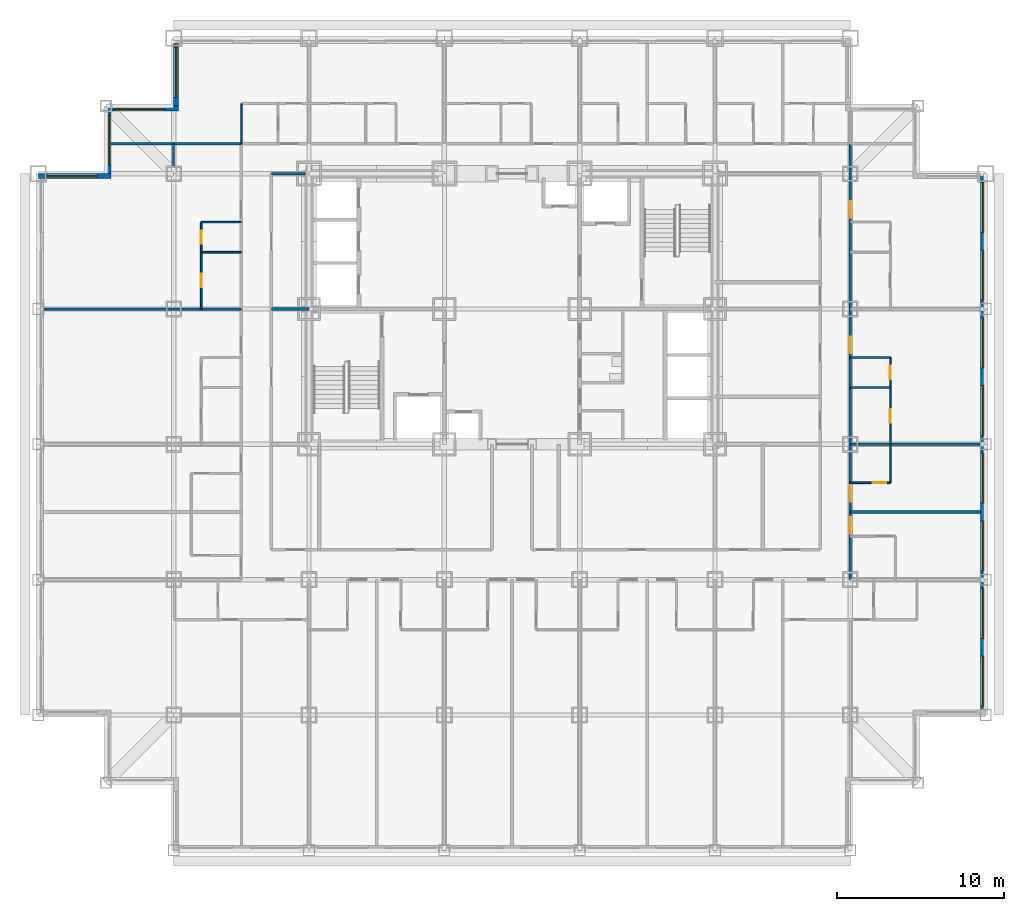
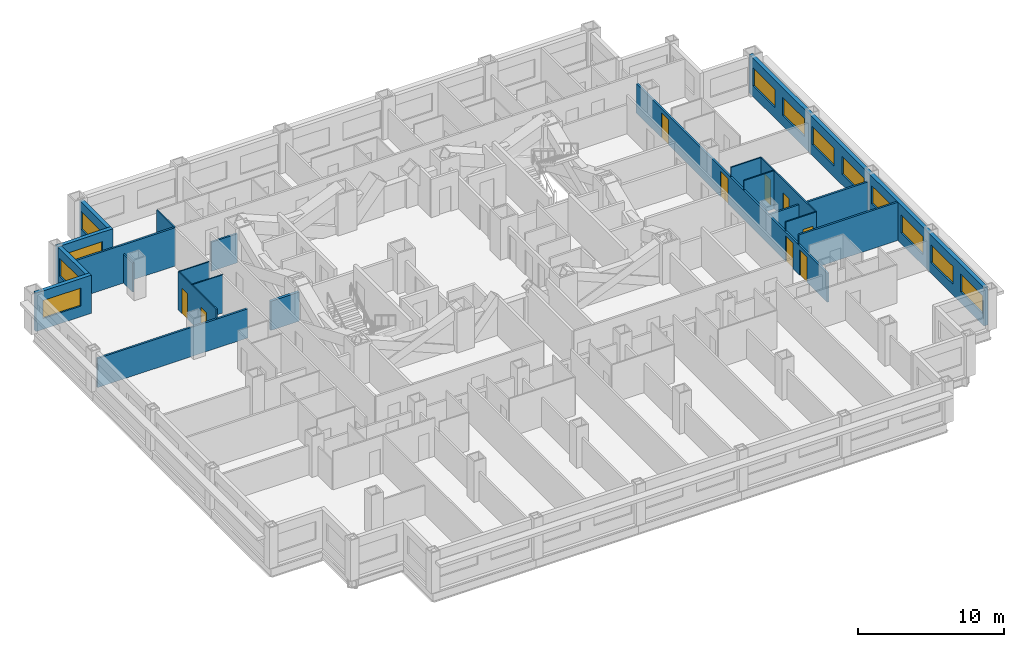
# One storey, part 7 of 12: 21 walls, 12 windows, 9 doors, 21 openings.
"""IFC4 building model written with IfcOpenShell, lengths in metres."""

import ifcopenshell
import ifcopenshell.guid

model = None  # the IFC model being written
_history = None  # IfcOwnerHistory: only IFC2X3 demands one
_inside = {}  # id of a spatial element -> (the spatial element, [elements in it])
_under = {}  # id of a project, library or spatial element -> (it, [spatial elements below it])
_declared = {}  # id of a project -> (the project, [libraries it declares])
_typed = {}  # id of a type object -> (the type object, [elements of that type])
_made_of = {}  # id of a material, layer set ... -> (it, [elements and type objects made of it])


def new_model(schema):
    """Start an empty IFC model of exactly this schema.

    Asked for "IFC4X3", IfcOpenShell would pick the latest addendum, in which some entities
    have other attributes; the version numbers below select the first issue.
    IFC2X3 requires an IfcOwnerHistory on every rooted entity: one is made here for all.
    """
    global model, _history
    if schema == "IFC4X3":
        model = ifcopenshell.file(schema_version=(4, 3, 0, 0))
    else:
        model = ifcopenshell.file(schema=schema)
    _inside.clear()
    _under.clear()
    _declared.clear()
    _typed.clear()
    _made_of.clear()
    _history = None
    if model.schema == "IFC2X3":
        org = make("IfcOrganization", Name="unknown")
        user = make(
            "IfcPersonAndOrganization",
            ThePerson=make("IfcPerson", FamilyName="unknown"),
            TheOrganization=org,
        )
        app = make(
            "IfcApplication",
            ApplicationDeveloper=org,
            Version="unknown",
            ApplicationFullName="unknown",
            ApplicationIdentifier="unknown",
        )
        _history = make(
            "IfcOwnerHistory",
            OwningUser=user,
            OwningApplication=app,
            ChangeAction="ADDED",
            CreationDate=0,
        )
    return model


def make(cls, **values):
    """One entity of the class cls with the attributes given. An attribute that is None is left unset."""
    return model.create_entity(
        cls, **{name: value for name, value in values.items() if value is not None}
    )


def rooted(cls, **values):
    """An entity with a GlobalId (a new one), such as an element, a storey or a relation."""
    return make(cls, GlobalId=ifcopenshell.guid.new(), OwnerHistory=_history, **values)


def si_unit(unit_type, name, prefix=None):
    """IfcSIUnit, for example si_unit("LENGTHUNIT", "METRE", prefix="MILLI")."""
    return make("IfcSIUnit", UnitType=unit_type, Prefix=prefix, Name=name)


def assignment(units):
    """IfcUnitAssignment: the units of a project."""
    return None if units is None else make("IfcUnitAssignment", Units=units)


def point(xyz):
    """IfcCartesianPoint."""
    return None if xyz is None else make("IfcCartesianPoint", Coordinates=xyz)


def direction(xyz):
    """IfcDirection."""
    return None if xyz is None else make("IfcDirection", DirectionRatios=xyz)


def frame(location, z_axis=None, x_axis=None):
    """IfcAxis2Placement3D, a coordinate frame: its origin and axes. An axis left out is left unset."""
    return make(
        "IfcAxis2Placement3D",
        Location=point(location),
        Axis=direction(z_axis),
        RefDirection=direction(x_axis),
    )


def frame_2d(location, x_axis=None):
    """IfcAxis2Placement2D, a coordinate frame in the plane: its origin and x axis."""
    return make(
        "IfcAxis2Placement2D", Location=point(location), RefDirection=direction(x_axis)
    )


def origin():
    """The frame at (0, 0, 0) with its axes left unset."""
    return frame((0.0, 0.0, 0.0))


def place(relative_to, where):
    """IfcLocalPlacement: puts the frame where relative to a parent placement (None: the world)."""
    return make(
        "IfcLocalPlacement", PlacementRelTo=relative_to, RelativePlacement=where
    )


def context(
    kind, dimensions, precision=None, world=None, true_north=None, identifier=None
):
    """IfcGeometricRepresentationContext, for example the 3D "Model" context."""
    return make(
        "IfcGeometricRepresentationContext",
        ContextIdentifier=identifier,
        ContextType=kind,
        CoordinateSpaceDimension=dimensions,
        Precision=precision,
        WorldCoordinateSystem=world,
        TrueNorth=true_north,
    )


def subcontext(parent, identifier, kind, view, scale=None):
    """IfcGeometricRepresentationSubContext, for example "Body" below "Model"."""
    return make(
        "IfcGeometricRepresentationSubContext",
        ContextIdentifier=identifier,
        ContextType=kind,
        ParentContext=parent,
        TargetScale=scale,
        TargetView=view,
    )


def project(units=None, contexts=None):
    """IfcProject with its units and contexts."""
    return rooted(
        "IfcProject",
        Name="project",
        RepresentationContexts=contexts,
        UnitsInContext=assignment(units),
    )


def spatial(cls, under=None, at=None, **own):
    """A site, building, storey or space (cls), placed at a placement, below another one or the project."""
    s = rooted(cls, ObjectPlacement=at, **own)
    if under is not None:
        _under.setdefault(under.id(), (under, []))[1].append(s)
    return s


def profile(cls, at=None, kind="AREA", **sizes):
    """A parametric profile (cls). Its sizes go by their IFC names, for example OverallWidth=200.0."""
    return make(cls, ProfileType=kind, Position=at, **sizes)


def rectangle(**sizes):
    """IfcRectangleProfileDef."""
    return profile("IfcRectangleProfileDef", **sizes)


def extrude(swept, where, along, depth):
    """IfcExtrudedAreaSolid: the profile swept, set in the frame where, extruded along a direction by depth."""
    return make(
        "IfcExtrudedAreaSolid",
        SweptArea=swept,
        Position=where,
        ExtrudedDirection=direction(along),
        Depth=depth,
    )


def shape(context_of_items, identifier, shape_type, items):
    """IfcShapeRepresentation: the items that make up one representation, for example the "Body"."""
    return make(
        "IfcShapeRepresentation",
        ContextOfItems=context_of_items,
        RepresentationIdentifier=identifier,
        RepresentationType=shape_type,
        Items=items,
    )


def material(Name=None, Category=None):
    """IfcMaterial."""
    return make("IfcMaterial", Name=Name, Category=Category)


def layer(
    of_material, thickness, ventilated=None, Name=None, Category=None, Priority=None
):
    """IfcMaterialLayer: one layer of a wall or slab, of a material (None: an air gap)."""
    return make(
        "IfcMaterialLayer",
        Material=of_material,
        LayerThickness=thickness,
        IsVentilated=ventilated,
        Name=Name,
        Category=Category,
        Priority=Priority,
    )


def layer_set(layers, Name=None):
    """IfcMaterialLayerSet."""
    return make("IfcMaterialLayerSet", MaterialLayers=layers, LayerSetName=Name)


def made_of(thing, what):
    """Note that an element or type object is made of a material, layer set ...; save() writes the relation."""
    if what is not None:
        _made_of.setdefault(what.id(), (what, []))[1].append(thing)
    return thing


def type_object(cls, material=None, **own):
    """A type object (cls), such as IfcWallType, which elements share."""
    return made_of(rooted(cls, **own), material)


def element(
    cls,
    number,
    at=None,
    inside=None,
    cuts=None,
    type_object=None,
    material=None,
    context=None,
    identifier="Body",
    shape_type=None,
    held_by="IfcProductDefinitionShape",
    body=None,
    shapes=None,
    **own,
):
    """One element of the class cls, such as IfcWall. Its Tag is "e" and its number.

    at: its placement. inside: the storey or other place that contains it. cuts: it is an
    opening in that element (IfcRelVoidsElement). A single representation is given by context,
    identifier, shape_type and body (its items); several are given by shapes. held_by: the class
    of the entity that holds the representations. save() writes the other relations.
    """
    e = rooted(cls, Tag="e%d" % number, ObjectPlacement=at, **own)
    if body is not None:
        shapes = [shape(context, identifier, shape_type, body)]
    if shapes is not None:
        e.Representation = make(held_by, Representations=shapes)
    if inside is not None:
        _inside.setdefault(inside.id(), (inside, []))[1].append(e)
    if cuts is not None:
        rooted(
            "IfcRelVoidsElement", RelatingBuildingElement=cuts, RelatedOpeningElement=e
        )
    if type_object is not None:
        _typed.setdefault(type_object.id(), (type_object, []))[1].append(e)
    return made_of(e, material)


def fill(opening, filler):
    """IfcRelFillsElement: the door or window that sits in an opening."""
    return rooted(
        "IfcRelFillsElement",
        RelatingOpeningElement=opening,
        RelatedBuildingElement=filler,
    )


def aggregate(whole, parts):
    """IfcRelAggregates: a whole, such as a stair, and the parts it consists of."""
    return rooted("IfcRelAggregates", RelatingObject=whole, RelatedObjects=parts)


def save(model, path):
    """Write the relations noted so far, then the file.

    IfcRelAggregates (storeys below a building ...), IfcRelContainedInSpatialStructure (elements
    in a storey), IfcRelDefinesByType, IfcRelAssociatesMaterial and IfcRelDeclares: one each for
    every whole, place, type object, material and project.
    """
    for whole, parts in _under.values():
        aggregate(whole, parts)
    for where, things in _inside.values():
        rooted(
            "IfcRelContainedInSpatialStructure",
            RelatedElements=things,
            RelatingStructure=where,
        )
    for kind, things in _typed.values():
        rooted("IfcRelDefinesByType", RelatedObjects=things, RelatingType=kind)
    for what, things in _made_of.values():
        rooted("IfcRelAssociatesMaterial", RelatedObjects=things, RelatingMaterial=what)
    for by, libraries in _declared.values():
        rooted("IfcRelDeclares", RelatingContext=by, RelatedDefinitions=libraries)
    model.write(path)


model = new_model("IFC4")

# Units and contexts
model_context = context("Model", 3, precision=1e-05, world=origin(), true_north=direction((0.0, 1.0)))
body_context = subcontext(model_context, "Body", "Model", "MODEL_VIEW")
ifc_project = project(units=[si_unit("LENGTHUNIT", "METRE"), si_unit("AREAUNIT", "SQUARE_METRE"), si_unit("VOLUMEUNIT", "CUBIC_METRE"), si_unit("PLANEANGLEUNIT", "RADIAN"), si_unit("MASSUNIT", "GRAM", prefix="KILO")], contexts=[model_context])

# Site, building, storey
site_placement = place(None, origin())
site = spatial("IfcSite", under=ifc_project, at=site_placement, CompositionType="ELEMENT")
building_placement = place(site_placement, origin())
building = spatial("IfcBuilding", under=site, at=building_placement, Name="Kopane Lantern Tower", CompositionType="ELEMENT")
storey_placement = place(building_placement, frame((0.0, 0.0, 80.60009765625)))
storey = spatial("IfcBuildingStorey", under=building, at=storey_placement, Name="L20", CompositionType="ELEMENT", Elevation=80.60009765625)

# Wall
ifc_material_1 = material(Name="Gypsum board on steel studs", Category="steel")
ifc_layer_1 = layer(ifc_material_1, 0.1201171875)
ifc_layer_set_1 = layer_set([ifc_layer_1], Name="APARTMENT INTERNAL WALL 120")
wall_type_1 = type_object("IfcWallType", Name="APARTMENT INTERNAL WALL 120", PredefinedType="PARTITIONING", material=ifc_layer_set_1)
wall_1_placement = place(storey_placement, frame((8.10009765625, 42.300048828125, 0.0), z_axis=(0.0, 0.0, 1.0), x_axis=(0.0, -1.0, 0.0)))
element("IfcWall", 1, at=wall_1_placement, inside=storey, type_object=wall_type_1, Name="Apartment Internal Wall 120 L20", PredefinedType="PARTITIONING", context=body_context, shape_type="SweptSolid", body=[
    extrude(rectangle(XDim=1.324951171875, YDim=0.1201171875, at=frame_2d((0.66259765625, 0.0))), origin(), (0.0, 0.0, 1.0), 2.427734375),
])

# Wall, openings, doors
ifc_material_2 = material(Name="Moisture-resistant board on steel studs", Category="steel")
ifc_layer_2 = layer(ifc_material_2, 0.10009765625)
ifc_layer_set_2 = layer_set([ifc_layer_2], Name="BATHROOM WALL 100")
wall_type_2 = type_object("IfcWallType", Name="BATHROOM WALL 100", PredefinedType="PARTITIONING", material=ifc_layer_set_2)
wall_2_placement = place(storey_placement, frame((9.75, 32.39990234375, 0.0), z_axis=(0.0, 0.0, 1.0), x_axis=(0.0, 1.0, 0.0)))
wall_2 = element("IfcWall", 2, at=wall_2_placement, inside=storey, type_object=wall_type_2, Name="Bathroom Wall 100 L20", PredefinedType="PARTITIONING", context=body_context, shape_type="SweptSolid", body=[
    extrude(rectangle(XDim=5.2001953125, YDim=0.10009765625, at=frame_2d((2.60009765625, 0.0))), origin(), (0.0, 0.0, 1.0), 3.18994140625),
])
opening_1_placement = place(wall_2_placement, frame((1.300048828125, 0.0, 0.0)))
opening_1 = element("IfcOpeningElement", 3, at=opening_1_placement, cuts=wall_2, Name="Opening L20-046", PredefinedType="OPENING", context=body_context, shape_type="SweptSolid", body=[
    extrude(rectangle(XDim=0.800048828125, YDim=2.10009765625, at=frame_2d((0.39990234375, 1.050048828125))), frame((0.0, 0.06005859375, 0.0), z_axis=(0.0, -1.0, 0.0), x_axis=(1.0, 0.0, 0.0)), (0.0, 0.0, 1.0), 0.1201171875),
])
opening_2_placement = place(wall_2_placement, frame((3.89990234375, 0.0, 0.0)))
opening_2 = element("IfcOpeningElement", 4, at=opening_2_placement, cuts=wall_2, Name="Opening L20-047", PredefinedType="OPENING", context=body_context, shape_type="SweptSolid", body=[
    extrude(rectangle(XDim=0.800048828125, YDim=2.10009765625, at=frame_2d((0.39990234375, 1.050048828125))), frame((0.0, 0.06005859375, 0.0), z_axis=(0.0, -1.0, 0.0), x_axis=(1.0, 0.0, 0.0)), (0.0, 0.0, 1.0), 0.1201171875),
])
ifc_material_3 = material(Name="Timber door set", Category="wood")
door_type_1 = type_object("IfcDoorType", Name="DOOR D2 800x2100", OperationType="SINGLE_SWING_LEFT", PredefinedType="DOOR", material=ifc_material_3)
door_1_placement = place(opening_1_placement, origin())
door_1 = element("IfcDoor", 5, at=door_1_placement, inside=storey, type_object=door_type_1, Name="Door L20-046", OperationType="SINGLE_SWING_LEFT", OverallHeight=2.10009765625, OverallWidth=0.800048828125, PredefinedType="DOOR", context=body_context, shape_type="SweptSolid", body=[
    extrude(rectangle(XDim=0.800048828125, YDim=2.10009765625, at=frame_2d((0.39990234375, 1.050048828125))), frame((0.0, 0.02490234375, 0.0), z_axis=(0.0, -1.0, 0.0), x_axis=(1.0, 0.0, 0.0)), (0.0, 0.0, 1.0), 0.050048828125),
])
fill(opening_1, door_1)
door_2_placement = place(opening_2_placement, origin())
door_2 = element("IfcDoor", 6, at=door_2_placement, inside=storey, type_object=door_type_1, Name="Door L20-047", OperationType="SINGLE_SWING_LEFT", OverallHeight=2.10009765625, OverallWidth=0.800048828125, PredefinedType="DOOR", context=body_context, shape_type="SweptSolid", body=[
    extrude(rectangle(XDim=0.800048828125, YDim=2.10009765625, at=frame_2d((0.39990234375, 1.050048828125))), frame((0.0, 0.02490234375, 0.0), z_axis=(0.0, -1.0, 0.0), x_axis=(1.0, 0.0, 0.0)), (0.0, 0.0, 1.0), 0.050048828125),
])
fill(opening_2, door_2)

# Walls
for number, where, z_axis, x_axis, name in (
    (7, (12.14990234375, 35.800048828125, 0.0), (0.0, 0.0, 1.0), (-1.0, 0.0, 0.0), "Bathroom Wall 100 L20"),
    (8, (12.14990234375, 37.60009765625, 0.0), (0.0, 0.0, 1.0), (-1.0, 0.0, 0.0), "Bathroom Wall 100 L20"),
):
    element("IfcWall", number, at=place(storey_placement, frame(where, z_axis=z_axis, x_axis=x_axis)), inside=storey, type_object=wall_type_2, Name=name, PredefinedType="PARTITIONING", context=body_context, shape_type="SweptSolid", body=[
        extrude(rectangle(XDim=2.39990234375, YDim=0.10009765625, at=frame_2d((1.199951171875, 0.0))), origin(), (0.0, 0.0, 1.0), 3.18994140625),
    ])

# Wall, openings, doors
wall_3_placement = place(storey_placement, frame((51.0, 22.0, 0.0), z_axis=(0.0, 0.0, 1.0), x_axis=(0.0, 1.0, 0.0)))
wall_3 = element("IfcWall", 9, at=wall_3_placement, inside=storey, type_object=wall_type_2, Name="Bathroom Wall 100 L20", PredefinedType="PARTITIONING", context=body_context, shape_type="SweptSolid", body=[
    extrude(rectangle(XDim=7.5, YDim=0.10009765625, at=frame_2d((3.75, 0.0))), origin(), (0.0, 0.0, 1.0), 3.18994140625),
])
opening_3_placement = place(wall_3_placement, frame((3.60009765625, 0.0, 0.0)))
opening_3 = element("IfcOpeningElement", 10, at=opening_3_placement, cuts=wall_3, Name="Opening L20-053", PredefinedType="OPENING", context=body_context, shape_type="SweptSolid", body=[
    extrude(rectangle(XDim=0.800048828125, YDim=2.10009765625, at=frame_2d((0.39990234375, 1.050048828125))), frame((0.0, 0.06005859375, 0.0), z_axis=(0.0, -1.0, 0.0), x_axis=(1.0, 0.0, 0.0)), (0.0, 0.0, 1.0), 0.1201171875),
])
opening_4_placement = place(wall_3_placement, frame((6.199951171875, 0.0, 0.0)))
opening_4 = element("IfcOpeningElement", 11, at=opening_4_placement, cuts=wall_3, Name="Opening L20-054", PredefinedType="OPENING", context=body_context, shape_type="SweptSolid", body=[
    extrude(rectangle(XDim=0.800048828125, YDim=2.10009765625, at=frame_2d((0.39990234375, 1.050048828125))), frame((0.0, 0.06005859375, 0.0), z_axis=(0.0, -1.0, 0.0), x_axis=(1.0, 0.0, 0.0)), (0.0, 0.0, 1.0), 0.1201171875),
])
door_3_placement = place(opening_3_placement, origin())
door_3 = element("IfcDoor", 12, at=door_3_placement, inside=storey, type_object=door_type_1, Name="Door L20-053", OperationType="SINGLE_SWING_RIGHT", OverallHeight=2.10009765625, OverallWidth=0.800048828125, PredefinedType="DOOR", context=body_context, shape_type="SweptSolid", body=[
    extrude(rectangle(XDim=0.800048828125, YDim=2.10009765625, at=frame_2d((0.39990234375, 1.050048828125))), frame((0.0, 0.02490234375, 0.0), z_axis=(0.0, -1.0, 0.0), x_axis=(1.0, 0.0, 0.0)), (0.0, 0.0, 1.0), 0.050048828125),
])
fill(opening_3, door_3)
door_4_placement = place(opening_4_placement, origin())
door_4 = element("IfcDoor", 13, at=door_4_placement, inside=storey, type_object=door_type_1, Name="Door L20-054", OperationType="SINGLE_SWING_RIGHT", OverallHeight=2.10009765625, OverallWidth=0.800048828125, PredefinedType="DOOR", context=body_context, shape_type="SweptSolid", body=[
    extrude(rectangle(XDim=0.800048828125, YDim=2.10009765625, at=frame_2d((0.39990234375, 1.050048828125))), frame((0.0, 0.02490234375, 0.0), z_axis=(0.0, -1.0, 0.0), x_axis=(1.0, 0.0, 0.0)), (0.0, 0.0, 1.0), 0.050048828125),
])
fill(opening_4, door_4)

# Wall, opening, door
wall_4_placement = place(storey_placement, frame((48.60009765625, 22.0, 0.0), z_axis=(0.0, 0.0, 1.0), x_axis=(1.0, 0.0, 0.0)))
wall_4 = element("IfcWall", 14, at=wall_4_placement, inside=storey, type_object=wall_type_2, Name="Bathroom Wall 100 L20", PredefinedType="PARTITIONING", context=body_context, shape_type="SweptSolid", body=[
    extrude(rectangle(XDim=2.39990234375, YDim=0.10009765625, at=frame_2d((1.199951171875, 0.0))), origin(), (0.0, 0.0, 1.0), 3.18994140625),
])
opening_5_placement = place(wall_4_placement, frame((1.35009765625, 0.0, 0.0)))
opening_5 = element("IfcOpeningElement", 15, at=opening_5_placement, cuts=wall_4, Name="Opening L20-051", PredefinedType="OPENING", context=body_context, shape_type="SweptSolid", body=[
    extrude(rectangle(XDim=0.800048828125, YDim=2.10009765625, at=frame_2d((0.39990234375, 1.050048828125))), frame((0.0, 0.06005859375, 0.0), z_axis=(0.0, -1.0, 0.0), x_axis=(1.0, 0.0, 0.0)), (0.0, 0.0, 1.0), 0.1201171875),
])
door_5_placement = place(opening_5_placement, origin())
door_5 = element("IfcDoor", 16, at=door_5_placement, inside=storey, type_object=door_type_1, Name="Door L20-051", OperationType="SINGLE_SWING_RIGHT", OverallHeight=2.10009765625, OverallWidth=0.800048828125, PredefinedType="DOOR", context=body_context, shape_type="SweptSolid", body=[
    extrude(rectangle(XDim=0.800048828125, YDim=2.10009765625, at=frame_2d((0.39990234375, 1.050048828125))), frame((0.0, 0.02490234375, 0.0), z_axis=(0.0, -1.0, 0.0), x_axis=(1.0, 0.0, 0.0)), (0.0, 0.0, 1.0), 0.050048828125),
])
fill(opening_5, door_5)

# Walls
for number, where, z_axis, x_axis, name in (
    (17, (48.60009765625, 27.699951171875, 0.0), (0.0, 0.0, 1.0), (1.0, 0.0, 0.0), "Bathroom Wall 100 L20"),
    (18, (48.60009765625, 29.5, 0.0), (0.0, 0.0, 1.0), (1.0, 0.0, 0.0), "Bathroom Wall 100 L20"),
    (19, (12.14990234375, 42.300048828125, 0.0), (0.0, 0.0, 1.0), (0.0, 1.0, 0.0), "Bathroom Wall 100 L20"),
):
    element("IfcWall", number, at=place(storey_placement, frame(where, z_axis=z_axis, x_axis=x_axis)), inside=storey, type_object=wall_type_2, Name=name, PredefinedType="PARTITIONING", context=body_context, shape_type="SweptSolid", body=[
        extrude(rectangle(XDim=2.39990234375, YDim=0.10009765625, at=frame_2d((1.199951171875, 0.0))), origin(), (0.0, 0.0, 1.0), 3.18994140625),
    ])

# Wall, openings, doors
ifc_material_4 = material(Name="Gypsum board on steel studs", Category="steel")
ifc_layer_3 = layer(ifc_material_4, 0.14990234375)
ifc_layer_set_3 = layer_set([ifc_layer_3], Name="CORRIDOR WALL 150 EI 60")
wall_type_3 = type_object("IfcWallType", Name="CORRIDOR WALL 150 EI 60", PredefinedType="PARTITIONING", material=ifc_layer_set_3)
wall_5_placement = place(storey_placement, frame((48.60009765625, 16.199951171875, 0.0), z_axis=(0.0, 0.0, 1.0), x_axis=(0.0, 1.0, 0.0)))
wall_5 = element("IfcWall", 20, at=wall_5_placement, inside=storey, type_object=wall_type_3, Name="Corridor Wall 150 Ei 60 L20", PredefinedType="PARTITIONING", context=body_context, shape_type="SweptSolid", body=[
    extrude(rectangle(XDim=26.10009765625, YDim=0.14990234375, at=frame_2d((13.050048828125, 0.0))), origin(), (0.0, 0.0, 1.0), 2.427734375),
])
opening_6_placement = place(wall_5_placement, frame((2.75, 0.0, 0.0)))
opening_6 = element("IfcOpeningElement", 21, at=opening_6_placement, cuts=wall_5, Name="Opening L20-050", PredefinedType="OPENING", context=body_context, shape_type="SweptSolid", body=[
    extrude(rectangle(XDim=1.0, YDim=2.10009765625, at=frame_2d((0.5, 1.050048828125))), frame((0.0, 0.0849609375, 0.0), z_axis=(0.0, -1.0, 0.0), x_axis=(1.0, 0.0, 0.0)), (0.0, 0.0, 1.0), 0.169921875),
])
opening_7_placement = place(wall_5_placement, frame((4.64990234375, 0.0, 0.0)))
opening_7 = element("IfcOpeningElement", 22, at=opening_7_placement, cuts=wall_5, Name="Opening L20-052", PredefinedType="OPENING", context=body_context, shape_type="SweptSolid", body=[
    extrude(rectangle(XDim=1.0, YDim=2.10009765625, at=frame_2d((0.5, 1.050048828125))), frame((0.0, 0.0849609375, 0.0), z_axis=(0.0, -1.0, 0.0), x_axis=(1.0, 0.0, 0.0)), (0.0, 0.0, 1.0), 0.169921875),
])
opening_8_placement = place(wall_5_placement, frame((13.550048828125, 0.0, 0.0)))
opening_8 = element("IfcOpeningElement", 23, at=opening_8_placement, cuts=wall_5, Name="Opening L20-055", PredefinedType="OPENING", context=body_context, shape_type="SweptSolid", body=[
    extrude(rectangle(XDim=1.0, YDim=2.10009765625, at=frame_2d((0.5, 1.050048828125))), frame((0.0, 0.0849609375, 0.0), z_axis=(0.0, -1.0, 0.0), x_axis=(1.0, 0.0, 0.0)), (0.0, 0.0, 1.0), 0.169921875),
])
opening_9_placement = place(wall_5_placement, frame((21.64990234375, 0.0, 0.0)))
opening_9 = element("IfcOpeningElement", 24, at=opening_9_placement, cuts=wall_5, Name="Opening L20-058", PredefinedType="OPENING", context=body_context, shape_type="SweptSolid", body=[
    extrude(rectangle(XDim=1.0, YDim=2.10009765625, at=frame_2d((0.5, 1.050048828125))), frame((0.0, 0.0849609375, 0.0), z_axis=(0.0, -1.0, 0.0), x_axis=(1.0, 0.0, 0.0)), (0.0, 0.0, 1.0), 0.169921875),
])
ifc_material_5 = material(Name="Steel door set", Category="steel")
door_type_2 = type_object("IfcDoorType", Name="DOOR D1 1000x2100 FD30S", OperationType="SINGLE_SWING_LEFT", PredefinedType="DOOR", material=ifc_material_5)
door_6_placement = place(opening_6_placement, origin())
door_6 = element("IfcDoor", 25, at=door_6_placement, inside=storey, type_object=door_type_2, Name="Door L20-050", OperationType="SINGLE_SWING_RIGHT", OverallHeight=2.10009765625, OverallWidth=1.0, PredefinedType="DOOR", context=body_context, shape_type="SweptSolid", body=[
    extrude(rectangle(XDim=1.0, YDim=2.10009765625, at=frame_2d((0.5, 1.050048828125))), frame((0.0, 0.02490234375, 0.0), z_axis=(0.0, -1.0, 0.0), x_axis=(1.0, 0.0, 0.0)), (0.0, 0.0, 1.0), 0.050048828125),
])
fill(opening_6, door_6)
door_7_placement = place(opening_7_placement, origin())
door_7 = element("IfcDoor", 26, at=door_7_placement, inside=storey, type_object=door_type_2, Name="Door L20-052", OperationType="SINGLE_SWING_LEFT", OverallHeight=2.10009765625, OverallWidth=1.0, PredefinedType="DOOR", context=body_context, shape_type="SweptSolid", body=[
    extrude(rectangle(XDim=1.0, YDim=2.10009765625, at=frame_2d((0.5, 1.050048828125))), frame((0.0, 0.02490234375, 0.0), z_axis=(0.0, -1.0, 0.0), x_axis=(1.0, 0.0, 0.0)), (0.0, 0.0, 1.0), 0.050048828125),
])
fill(opening_7, door_7)
door_8_placement = place(opening_8_placement, origin())
door_8 = element("IfcDoor", 27, at=door_8_placement, inside=storey, type_object=door_type_2, Name="Door L20-055", OperationType="SINGLE_SWING_RIGHT", OverallHeight=2.10009765625, OverallWidth=1.0, PredefinedType="DOOR", context=body_context, shape_type="SweptSolid", body=[
    extrude(rectangle(XDim=1.0, YDim=2.10009765625, at=frame_2d((0.5, 1.050048828125))), frame((0.0, 0.02490234375, 0.0), z_axis=(0.0, -1.0, 0.0), x_axis=(1.0, 0.0, 0.0)), (0.0, 0.0, 1.0), 0.050048828125),
])
fill(opening_8, door_8)
door_9_placement = place(opening_9_placement, origin())
door_9 = element("IfcDoor", 28, at=door_9_placement, inside=storey, type_object=door_type_2, Name="Door L20-058", OperationType="SINGLE_SWING_RIGHT", OverallHeight=2.10009765625, OverallWidth=1.0, PredefinedType="DOOR", context=body_context, shape_type="SweptSolid", body=[
    extrude(rectangle(XDim=1.0, YDim=2.10009765625, at=frame_2d((0.5, 1.050048828125))), frame((0.0, 0.02490234375, 0.0), z_axis=(0.0, -1.0, 0.0), x_axis=(1.0, 0.0, 0.0)), (0.0, 0.0, 1.0), 0.050048828125),
])
fill(opening_9, door_9)

# Walls
wall_6_placement = place(storey_placement, frame((16.0, 40.5, 0.0), z_axis=(0.0, 0.0, 1.0), x_axis=(-1.0, 0.0, 0.0)))
element("IfcWall", 29, at=wall_6_placement, inside=storey, type_object=wall_type_3, Name="Corridor Wall 150 Ei 60 L20", PredefinedType="PARTITIONING", context=body_context, shape_type="SweptSolid", body=[
    extrude(rectangle(XDim=2.050048828125, YDim=0.14990234375, at=frame_2d((1.02490234375, 0.0))), origin(), (0.0, 0.0, 1.0), 2.427734375),
])
ifc_material_6 = material(Name="Gypsum board on steel studs", Category="steel")
ifc_layer_4 = layer(ifc_material_6, 0.14990234375)
ifc_layer_set_4 = layer_set([ifc_layer_4], Name="DEMISING WALL 150 EI 60")
wall_type_4 = type_object("IfcWallType", Name="DEMISING WALL 150 EI 60", PredefinedType="PARTITIONING", material=ifc_layer_set_4)
wall_7_placement = place(storey_placement, frame((12.14990234375, 32.39990234375, 0.0), z_axis=(0.0, 0.0, 1.0), x_axis=(-1.0, 0.0, 0.0)))
element("IfcWall", 30, at=wall_7_placement, inside=storey, type_object=wall_type_4, Name="Demising Wall 150 Ei 60 L20", PredefinedType="PARTITIONING", context=body_context, shape_type="SweptSolid", body=[
    extrude(rectangle(XDim=11.849853515625, YDim=0.14990234375, at=frame_2d((5.9248046875, 0.0))), origin(), (0.0, 0.0, 1.0), 2.427734375),
])
wall_8_placement = place(storey_placement, frame((48.60009765625, 20.25, 0.0), z_axis=(0.0, 0.0, 1.0), x_axis=(1.0, 0.0, 0.0)))
element("IfcWall", 31, at=wall_8_placement, inside=storey, type_object=wall_type_4, Name="Demising Wall 150 Ei 60 L20", PredefinedType="PARTITIONING", context=body_context, shape_type="SweptSolid", body=[
    extrude(rectangle(XDim=7.7998046875, YDim=0.14990234375, at=frame_2d((3.89990234375, 0.0))), origin(), (0.0, 0.0, 1.0), 3.18994140625),
])
wall_9_placement = place(storey_placement, frame((48.60009765625, 24.300048828125, 0.0), z_axis=(0.0, 0.0, 1.0), x_axis=(1.0, 0.0, 0.0)))
element("IfcWall", 32, at=wall_9_placement, inside=storey, type_object=wall_type_4, Name="Demising Wall 150 Ei 60 L20", PredefinedType="PARTITIONING", context=body_context, shape_type="SweptSolid", body=[
    extrude(rectangle(XDim=7.7998046875, YDim=0.14990234375, at=frame_2d((3.89990234375, 0.0))), origin(), (0.0, 0.0, 1.0), 2.427734375),
])
wall_10_placement = place(storey_placement, frame((4.35009765625, 42.300048828125, 0.0), z_axis=(0.0, 0.0, 1.0), x_axis=(1.0, 0.0, 0.0)))
element("IfcWall", 33, at=wall_10_placement, inside=storey, type_object=wall_type_4, Name="Demising Wall 150 Ei 60 L20", PredefinedType="PARTITIONING", context=body_context, shape_type="SweptSolid", body=[
    extrude(rectangle(XDim=7.7998046875, YDim=0.14990234375, at=frame_2d((3.89990234375, 0.0))), origin(), (0.0, 0.0, 1.0), 3.18994140625),
])

# Wall, openings, windows
ifc_material_7 = material(Name="Terracotta rainscreen on light steel framing", Category="masonry")
ifc_layer_5 = layer(ifc_material_7, 0.300048828125)
ifc_layer_set_5 = layer_set([ifc_layer_5], Name="EXTERNAL WALL EW1 300 TERRACOTTA")
wall_type_5 = type_object("IfcWallType", Name="EXTERNAL WALL EW1 300 TERRACOTTA", PredefinedType="SOLIDWALL", material=ifc_layer_set_5)
wall_11_placement = place(storey_placement, frame((56.550048828125, 8.39990234375, 0.0), z_axis=(0.0, 0.0, 1.0), x_axis=(0.0, 1.0, 0.0)))
wall_11 = element("IfcWall", 34, at=wall_11_placement, inside=storey, type_object=wall_type_5, Name="External wall E L20", PredefinedType="SOLIDWALL", context=body_context, shape_type="SweptSolid", body=[
    extrude(rectangle(XDim=32.10009765625, YDim=0.300048828125, at=frame_2d((16.050048828125, 0.0))), origin(), (0.0, 0.0, 1.0), 3.18994140625),
])
opening_10_placement = place(wall_11_placement, frame((0.22509765625, 0.0, 0.89990234375)))
opening_10 = element("IfcOpeningElement", 35, at=opening_10_placement, cuts=wall_11, Name="Opening WR300150", PredefinedType="OPENING", context=body_context, shape_type="SweptSolid", body=[
    extrude(rectangle(XDim=3.0, YDim=1.5, at=frame_2d((1.5, 0.75))), frame((0.0, 0.159912109375, 0.0), z_axis=(0.0, -1.0, 0.0), x_axis=(1.0, 0.0, 0.0)), (0.0, 0.0, 1.0), 0.320068359375),
])
opening_11_placement = place(wall_11_placement, frame((4.27490234375, 0.0, 0.89990234375)))
opening_11 = element("IfcOpeningElement", 36, at=opening_11_placement, cuts=wall_11, Name="Opening WR300150", PredefinedType="OPENING", context=body_context, shape_type="SweptSolid", body=[
    extrude(rectangle(XDim=3.0, YDim=1.5, at=frame_2d((1.5, 0.75))), frame((0.0, 0.159912109375, 0.0), z_axis=(0.0, -1.0, 0.0), x_axis=(1.0, 0.0, 0.0)), (0.0, 0.0, 1.0), 0.320068359375),
])
opening_12_placement = place(wall_11_placement, frame((8.324951171875, 0.0, 0.89990234375)))
opening_12 = element("IfcOpeningElement", 37, at=opening_12_placement, cuts=wall_11, Name="Opening WR300150", PredefinedType="OPENING", context=body_context, shape_type="SweptSolid", body=[
    extrude(rectangle(XDim=3.0, YDim=1.5, at=frame_2d((1.5, 0.75))), frame((0.0, 0.159912109375, 0.0), z_axis=(0.0, -1.0, 0.0), x_axis=(1.0, 0.0, 0.0)), (0.0, 0.0, 1.0), 0.320068359375),
])
opening_13_placement = place(wall_11_placement, frame((12.375, 0.0, 0.89990234375)))
opening_13 = element("IfcOpeningElement", 38, at=opening_13_placement, cuts=wall_11, Name="Opening WR300150", PredefinedType="OPENING", context=body_context, shape_type="SweptSolid", body=[
    extrude(rectangle(XDim=3.0, YDim=1.5, at=frame_2d((1.5, 0.75))), frame((0.0, 0.159912109375, 0.0), z_axis=(0.0, -1.0, 0.0), x_axis=(1.0, 0.0, 0.0)), (0.0, 0.0, 1.0), 0.320068359375),
])
opening_14_placement = place(wall_11_placement, frame((16.425048828125, 0.0, 0.89990234375)))
opening_14 = element("IfcOpeningElement", 39, at=opening_14_placement, cuts=wall_11, Name="Opening WR300150", PredefinedType="OPENING", context=body_context, shape_type="SweptSolid", body=[
    extrude(rectangle(XDim=3.0, YDim=1.5, at=frame_2d((1.5, 0.75))), frame((0.0, 0.159912109375, 0.0), z_axis=(0.0, -1.0, 0.0), x_axis=(1.0, 0.0, 0.0)), (0.0, 0.0, 1.0), 0.320068359375),
])
opening_15_placement = place(wall_11_placement, frame((20.47509765625, 0.0, 0.89990234375)))
opening_15 = element("IfcOpeningElement", 40, at=opening_15_placement, cuts=wall_11, Name="Opening WR300150", PredefinedType="OPENING", context=body_context, shape_type="SweptSolid", body=[
    extrude(rectangle(XDim=3.0, YDim=1.5, at=frame_2d((1.5, 0.75))), frame((0.0, 0.159912109375, 0.0), z_axis=(0.0, -1.0, 0.0), x_axis=(1.0, 0.0, 0.0)), (0.0, 0.0, 1.0), 0.320068359375),
])
opening_16_placement = place(wall_11_placement, frame((24.52490234375, 0.0, 0.89990234375)))
opening_16 = element("IfcOpeningElement", 41, at=opening_16_placement, cuts=wall_11, Name="Opening WR300150", PredefinedType="OPENING", context=body_context, shape_type="SweptSolid", body=[
    extrude(rectangle(XDim=3.0, YDim=1.5, at=frame_2d((1.5, 0.75))), frame((0.0, 0.159912109375, 0.0), z_axis=(0.0, -1.0, 0.0), x_axis=(1.0, 0.0, 0.0)), (0.0, 0.0, 1.0), 0.320068359375),
])
opening_17_placement = place(wall_11_placement, frame((28.574951171875, 0.0, 0.89990234375)))
opening_17 = element("IfcOpeningElement", 42, at=opening_17_placement, cuts=wall_11, Name="Opening WR300150", PredefinedType="OPENING", context=body_context, shape_type="SweptSolid", body=[
    extrude(rectangle(XDim=3.0, YDim=1.5, at=frame_2d((1.5, 0.75))), frame((0.0, 0.159912109375, 0.0), z_axis=(0.0, -1.0, 0.0), x_axis=(1.0, 0.0, 0.0)), (0.0, 0.0, 1.0), 0.320068359375),
])
ifc_material_8 = material(Name="Aluminium and clear glass", Category="aluminium")
window_type = type_object("IfcWindowType", Name="RIBBON WINDOW WR300150 3000x1500", PartitioningType="SINGLE_PANEL", PredefinedType="WINDOW", material=ifc_material_8)
window_1_placement = place(opening_10_placement, origin())
window_1 = element("IfcWindow", 43, at=window_1_placement, inside=storey, type_object=window_type, Name="Window E L20", OverallHeight=1.5, OverallWidth=3.0, PartitioningType="SINGLE_PANEL", PredefinedType="WINDOW", context=body_context, shape_type="SweptSolid", body=[
    extrude(rectangle(XDim=3.0, YDim=1.5, at=frame_2d((1.5, 0.75))), frame((0.0, 0.030029296875, 0.0), z_axis=(0.0, -1.0, 0.0), x_axis=(1.0, 0.0, 0.0)), (0.0, 0.0, 1.0), 0.06005859375),
])
fill(opening_10, window_1)
window_2_placement = place(opening_11_placement, origin())
window_2 = element("IfcWindow", 44, at=window_2_placement, inside=storey, type_object=window_type, Name="Window E L20", OverallHeight=1.5, OverallWidth=3.0, PartitioningType="SINGLE_PANEL", PredefinedType="WINDOW", context=body_context, shape_type="SweptSolid", body=[
    extrude(rectangle(XDim=3.0, YDim=1.5, at=frame_2d((1.5, 0.75))), frame((0.0, 0.030029296875, 0.0), z_axis=(0.0, -1.0, 0.0), x_axis=(1.0, 0.0, 0.0)), (0.0, 0.0, 1.0), 0.06005859375),
])
fill(opening_11, window_2)
window_3_placement = place(opening_12_placement, origin())
window_3 = element("IfcWindow", 45, at=window_3_placement, inside=storey, type_object=window_type, Name="Window E L20", OverallHeight=1.5, OverallWidth=3.0, PartitioningType="SINGLE_PANEL", PredefinedType="WINDOW", context=body_context, shape_type="SweptSolid", body=[
    extrude(rectangle(XDim=3.0, YDim=1.5, at=frame_2d((1.5, 0.75))), frame((0.0, 0.030029296875, 0.0), z_axis=(0.0, -1.0, 0.0), x_axis=(1.0, 0.0, 0.0)), (0.0, 0.0, 1.0), 0.06005859375),
])
fill(opening_12, window_3)
window_4_placement = place(opening_13_placement, origin())
window_4 = element("IfcWindow", 46, at=window_4_placement, inside=storey, type_object=window_type, Name="Window E L20", OverallHeight=1.5, OverallWidth=3.0, PartitioningType="SINGLE_PANEL", PredefinedType="WINDOW", context=body_context, shape_type="SweptSolid", body=[
    extrude(rectangle(XDim=3.0, YDim=1.5, at=frame_2d((1.5, 0.75))), frame((0.0, 0.030029296875, 0.0), z_axis=(0.0, -1.0, 0.0), x_axis=(1.0, 0.0, 0.0)), (0.0, 0.0, 1.0), 0.06005859375),
])
fill(opening_13, window_4)
window_5_placement = place(opening_14_placement, origin())
window_5 = element("IfcWindow", 47, at=window_5_placement, inside=storey, type_object=window_type, Name="Window E L20", OverallHeight=1.5, OverallWidth=3.0, PartitioningType="SINGLE_PANEL", PredefinedType="WINDOW", context=body_context, shape_type="SweptSolid", body=[
    extrude(rectangle(XDim=3.0, YDim=1.5, at=frame_2d((1.5, 0.75))), frame((0.0, 0.030029296875, 0.0), z_axis=(0.0, -1.0, 0.0), x_axis=(1.0, 0.0, 0.0)), (0.0, 0.0, 1.0), 0.06005859375),
])
fill(opening_14, window_5)
window_6_placement = place(opening_15_placement, origin())
window_6 = element("IfcWindow", 48, at=window_6_placement, inside=storey, type_object=window_type, Name="Window E L20", OverallHeight=1.5, OverallWidth=3.0, PartitioningType="SINGLE_PANEL", PredefinedType="WINDOW", context=body_context, shape_type="SweptSolid", body=[
    extrude(rectangle(XDim=3.0, YDim=1.5, at=frame_2d((1.5, 0.75))), frame((0.0, 0.030029296875, 0.0), z_axis=(0.0, -1.0, 0.0), x_axis=(1.0, 0.0, 0.0)), (0.0, 0.0, 1.0), 0.06005859375),
])
fill(opening_15, window_6)
window_7_placement = place(opening_16_placement, origin())
window_7 = element("IfcWindow", 49, at=window_7_placement, inside=storey, type_object=window_type, Name="Window E L20", OverallHeight=1.5, OverallWidth=3.0, PartitioningType="SINGLE_PANEL", PredefinedType="WINDOW", context=body_context, shape_type="SweptSolid", body=[
    extrude(rectangle(XDim=3.0, YDim=1.5, at=frame_2d((1.5, 0.75))), frame((0.0, 0.030029296875, 0.0), z_axis=(0.0, -1.0, 0.0), x_axis=(1.0, 0.0, 0.0)), (0.0, 0.0, 1.0), 0.06005859375),
])
fill(opening_16, window_7)
window_8_placement = place(opening_17_placement, origin())
window_8 = element("IfcWindow", 50, at=window_8_placement, inside=storey, type_object=window_type, Name="Window E L20", OverallHeight=1.5, OverallWidth=3.0, PartitioningType="SINGLE_PANEL", PredefinedType="WINDOW", context=body_context, shape_type="SweptSolid", body=[
    extrude(rectangle(XDim=3.0, YDim=1.5, at=frame_2d((1.5, 0.75))), frame((0.0, 0.030029296875, 0.0), z_axis=(0.0, -1.0, 0.0), x_axis=(1.0, 0.0, 0.0)), (0.0, 0.0, 1.0), 0.06005859375),
])
fill(opening_17, window_8)

# Wall, opening, window
wall_12_placement = place(storey_placement, frame((8.25, 48.300048828125, 0.0), z_axis=(0.0, 0.0, 1.0), x_axis=(0.0, -1.0, 0.0)))
wall_12 = element("IfcWall", 51, at=wall_12_placement, inside=storey, type_object=wall_type_5, Name="External wall W L20", PredefinedType="SOLIDWALL", context=body_context, shape_type="SweptSolid", body=[
    extrude(rectangle(XDim=3.75, YDim=0.300048828125, at=frame_2d((1.875, 0.0))), origin(), (0.0, 0.0, 1.0), 3.18994140625),
])
opening_18_placement = place(wall_12_placement, frame((0.22509765625, 0.0, 0.89990234375)))
opening_18 = element("IfcOpeningElement", 52, at=opening_18_placement, cuts=wall_12, Name="Opening WR300150", PredefinedType="OPENING", context=body_context, shape_type="SweptSolid", body=[
    extrude(rectangle(XDim=3.0, YDim=1.5, at=frame_2d((1.5, 0.75))), frame((0.0, 0.159912109375, 0.0), z_axis=(0.0, -1.0, 0.0), x_axis=(1.0, 0.0, 0.0)), (0.0, 0.0, 1.0), 0.320068359375),
])
window_9_placement = place(opening_18_placement, origin())
window_9 = element("IfcWindow", 53, at=window_9_placement, inside=storey, type_object=window_type, Name="Window W L20", OverallHeight=1.5, OverallWidth=3.0, PartitioningType="SINGLE_PANEL", PredefinedType="WINDOW", context=body_context, shape_type="SweptSolid", body=[
    extrude(rectangle(XDim=3.0, YDim=1.5, at=frame_2d((1.5, 0.75))), frame((0.0, 0.030029296875, 0.0), z_axis=(0.0, -1.0, 0.0), x_axis=(1.0, 0.0, 0.0)), (0.0, 0.0, 1.0), 0.06005859375),
])
fill(opening_18, window_9)

wall_13_placement = place(storey_placement, frame((8.39990234375, 44.39990234375, 0.0), z_axis=(0.0, 0.0, 1.0), x_axis=(-1.0, 0.0, 0.0)))
wall_13 = element("IfcWall", 54, at=wall_13_placement, inside=storey, type_object=wall_type_5, Name="External wall N L20", PredefinedType="SOLIDWALL", context=body_context, shape_type="SweptSolid", body=[
    extrude(rectangle(XDim=4.349853515625, YDim=0.300048828125, at=frame_2d((2.1748046875, 0.0))), origin(), (0.0, 0.0, 1.0), 3.18994140625),
])
opening_19_placement = place(wall_13_placement, frame((0.824951171875, 0.0, 0.89990234375)))
opening_19 = element("IfcOpeningElement", 55, at=opening_19_placement, cuts=wall_13, Name="Opening WR300150", PredefinedType="OPENING", context=body_context, shape_type="SweptSolid", body=[
    extrude(rectangle(XDim=3.0, YDim=1.5, at=frame_2d((1.5, 0.75))), frame((0.0, 0.159912109375, 0.0), z_axis=(0.0, -1.0, 0.0), x_axis=(1.0, 0.0, 0.0)), (0.0, 0.0, 1.0), 0.320068359375),
])
window_10_placement = place(opening_19_placement, origin())
window_10 = element("IfcWindow", 56, at=window_10_placement, inside=storey, type_object=window_type, Name="Window N L20", OverallHeight=1.5, OverallWidth=3.0, PartitioningType="SINGLE_PANEL", PredefinedType="WINDOW", context=body_context, shape_type="SweptSolid", body=[
    extrude(rectangle(XDim=3.0, YDim=1.5, at=frame_2d((1.5, 0.75))), frame((0.0, 0.030029296875, 0.0), z_axis=(0.0, -1.0, 0.0), x_axis=(1.0, 0.0, 0.0)), (0.0, 0.0, 1.0), 0.06005859375),
])
fill(opening_19, window_10)

wall_14_placement = place(storey_placement, frame((4.199951171875, 44.25, 0.0), z_axis=(0.0, 0.0, 1.0), x_axis=(0.0, -1.0, 0.0)))
wall_14 = element("IfcWall", 57, at=wall_14_placement, inside=storey, type_object=wall_type_5, Name="External wall W L20", PredefinedType="SOLIDWALL", context=body_context, shape_type="SweptSolid", body=[
    extrude(rectangle(XDim=3.75, YDim=0.300048828125, at=frame_2d((1.875, 0.0))), origin(), (0.0, 0.0, 1.0), 3.18994140625),
])
opening_20_placement = place(wall_14_placement, frame((0.22509765625, 0.0, 0.89990234375)))
opening_20 = element("IfcOpeningElement", 58, at=opening_20_placement, cuts=wall_14, Name="Opening WR300150", PredefinedType="OPENING", context=body_context, shape_type="SweptSolid", body=[
    extrude(rectangle(XDim=3.0, YDim=1.5, at=frame_2d((1.5, 0.75))), frame((0.0, 0.159912109375, 0.0), z_axis=(0.0, -1.0, 0.0), x_axis=(1.0, 0.0, 0.0)), (0.0, 0.0, 1.0), 0.320068359375),
])
window_11_placement = place(opening_20_placement, origin())
window_11 = element("IfcWindow", 59, at=window_11_placement, inside=storey, type_object=window_type, Name="Window W L20", OverallHeight=1.5, OverallWidth=3.0, PartitioningType="SINGLE_PANEL", PredefinedType="WINDOW", context=body_context, shape_type="SweptSolid", body=[
    extrude(rectangle(XDim=3.0, YDim=1.5, at=frame_2d((1.5, 0.75))), frame((0.0, 0.030029296875, 0.0), z_axis=(0.0, -1.0, 0.0), x_axis=(1.0, 0.0, 0.0)), (0.0, 0.0, 1.0), 0.06005859375),
])
fill(opening_20, window_11)

wall_15_placement = place(storey_placement, frame((4.35009765625, 40.35009765625, 0.0), z_axis=(0.0, 0.0, 1.0), x_axis=(-1.0, 0.0, 0.0)))
wall_15 = element("IfcWall", 60, at=wall_15_placement, inside=storey, type_object=wall_type_5, Name="External wall N L20", PredefinedType="SOLIDWALL", context=body_context, shape_type="SweptSolid", body=[
    extrude(rectangle(XDim=4.35009765625, YDim=0.300048828125, at=frame_2d((2.175048828125, 0.0))), origin(), (0.0, 0.0, 1.0), 3.18994140625),
])
opening_21_placement = place(wall_15_placement, frame((0.824951171875, 0.0, 0.89990234375)))
opening_21 = element("IfcOpeningElement", 61, at=opening_21_placement, cuts=wall_15, Name="Opening WR300150", PredefinedType="OPENING", context=body_context, shape_type="SweptSolid", body=[
    extrude(rectangle(XDim=3.0, YDim=1.5, at=frame_2d((1.5, 0.75))), frame((0.0, 0.159912109375, 0.0), z_axis=(0.0, -1.0, 0.0), x_axis=(1.0, 0.0, 0.0)), (0.0, 0.0, 1.0), 0.320068359375),
])
window_12_placement = place(opening_21_placement, origin())
window_12 = element("IfcWindow", 62, at=window_12_placement, inside=storey, type_object=window_type, Name="Window N L20", OverallHeight=1.5, OverallWidth=3.0, PartitioningType="SINGLE_PANEL", PredefinedType="WINDOW", context=body_context, shape_type="SweptSolid", body=[
    extrude(rectangle(XDim=3.0, YDim=1.5, at=frame_2d((1.5, 0.75))), frame((0.0, 0.030029296875, 0.0), z_axis=(0.0, -1.0, 0.0), x_axis=(1.0, 0.0, 0.0)), (0.0, 0.0, 1.0), 0.06005859375),
])
fill(opening_21, window_12)

# Wall
ifc_material_9 = material(Name="Concrete masonry", Category="masonry")
ifc_layer_6 = layer(ifc_material_9, 0.199951171875)
ifc_layer_set_6 = layer_set([ifc_layer_6], Name="PLANT ROOM WALL 200 EI 120")
wall_type_6 = type_object("IfcWallType", Name="PLANT ROOM WALL 200 EI 120", PredefinedType="SOLIDWALL", material=ifc_layer_set_6)
wall_16_placement = place(storey_placement, frame((13.949951171875, 32.39990234375, 0.0), z_axis=(0.0, 0.0, 1.0), x_axis=(1.0, 0.0, 0.0)))
element("IfcWall", 63, at=wall_16_placement, inside=storey, type_object=wall_type_6, Name="Plant Room Wall 200 Ei 120 L20", PredefinedType="SOLIDWALL", context=body_context, shape_type="SweptSolid", body=[
    extrude(rectangle(XDim=2.25, YDim=0.199951171875, at=frame_2d((1.125, 0.0))), origin(), (0.0, 0.0, 1.0), 2.427734375),
])

save(model, "model.ifc")
